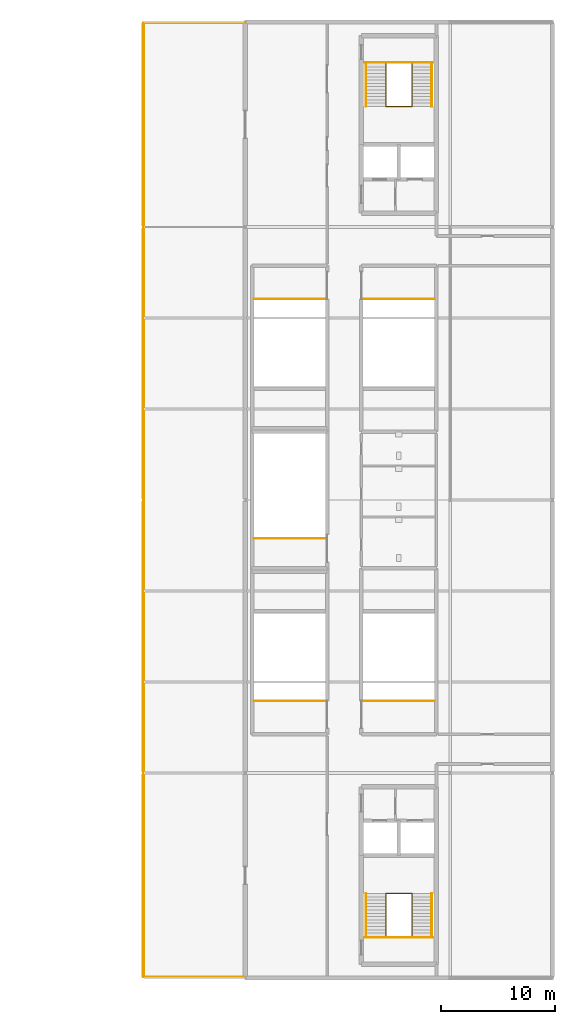
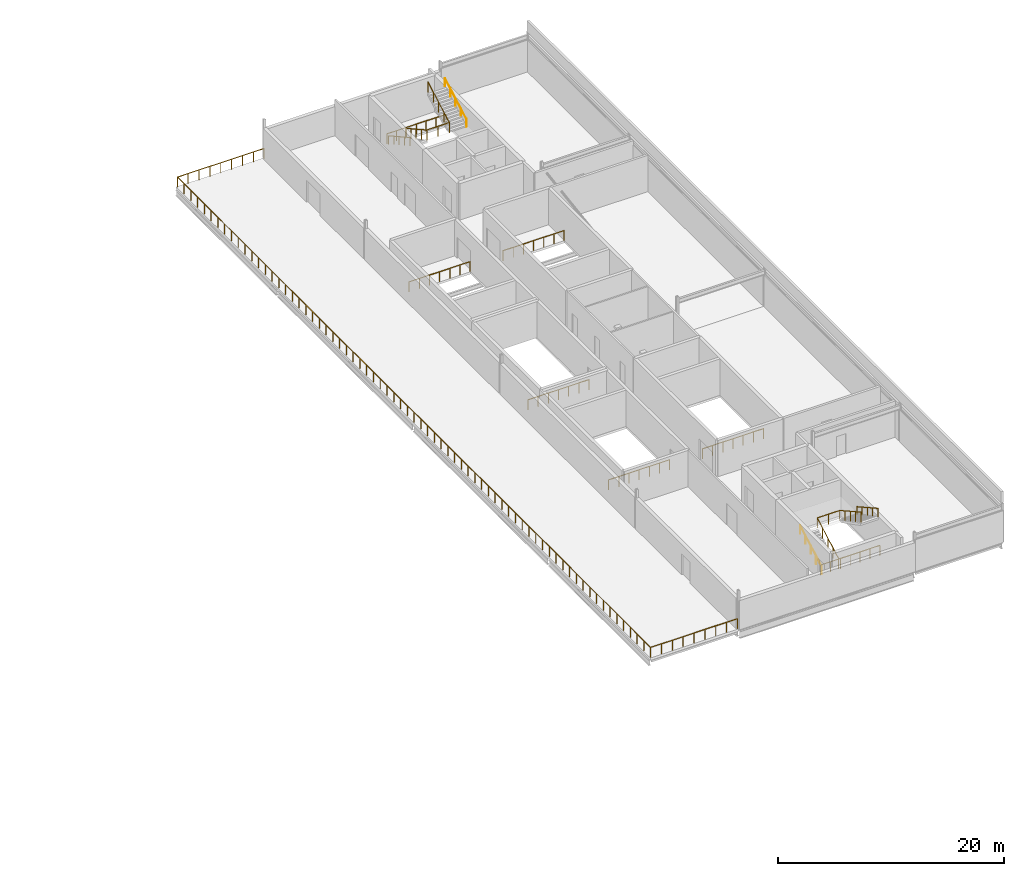
# One storey, part 22 of 23: 14 railings.
"""IFC4 building model written with IfcOpenShell, lengths in metres."""

from ifc_helpers import new_model, si_unit, direction, frame, origin, origin_2d, place, context, subcontext, project, spatial, circle, extrude, material, type_object, element, save


model = new_model("IFC4")

# Units and contexts
model_context = context("Model", 3, precision=1e-05, world=origin(), true_north=direction((0.0, 1.0)))
body_context = subcontext(model_context, "Body", "Model", "MODEL_VIEW")
ifc_project = project(units=[si_unit("LENGTHUNIT", "METRE"), si_unit("AREAUNIT", "SQUARE_METRE"), si_unit("VOLUMEUNIT", "CUBIC_METRE"), si_unit("PLANEANGLEUNIT", "RADIAN"), si_unit("MASSUNIT", "GRAM", prefix="KILO")], contexts=[model_context])

# Site, building, storey
site_placement = place(None, origin())
site = spatial("IfcSite", under=ifc_project, at=site_placement, CompositionType="ELEMENT")
building_placement = place(site_placement, origin())
building = spatial("IfcBuilding", under=site, at=building_placement, Name="Kisiwana Market Hall", CompositionType="ELEMENT")
storey_placement = place(building_placement, frame((0.0, 0.0, 65.699951171875)))
storey = spatial("IfcBuildingStorey", under=building, at=storey_placement, Name="L15", CompositionType="ELEMENT", Elevation=65.699951171875)

# Railings
ifc_material_1 = material(Name="Steel S275", Category="steel")
railing_type_1 = type_object("IfcRailingType", Name="RL-BALUST-1100", PredefinedType="BALUSTRADE", material=ifc_material_1)
railing_1_placement = place(storey_placement, frame((170.949951171875, 18.080078125, 0.0)))
element("IfcRailing", 1, at=railing_1_placement, inside=storey, type_object=railing_type_1, Name="L15 East Observatory Terrace Guardrail 1100 RL-1707", PredefinedType="BALUSTRADE", context=body_context, shape_type="SweptSolid", body=[
    extrude(circle(Radius=0.02392578125, at=origin_2d()), frame((0.0, 0.0, 1.076171875), z_axis=(-1.0, 0.0, 0.0), x_axis=(0.0, -1.0, 0.0)), (0.0, 0.0, 1.0), 8.869873046875),
    extrude(circle(Radius=0.02392578125, at=origin_2d()), frame((-8.869873046875, 0.0, 1.076171875), z_axis=(0.0, 1.0, 0.0), x_axis=(-1.0, 0.0, 0.0)), (0.0, 0.0, 1.0), 83.83984375),
    extrude(circle(Radius=0.02392578125, at=origin_2d()), frame((-8.869873046875, 83.83984375, 1.076171875), z_axis=(1.0, 0.0, 0.0), x_axis=(0.0, 1.0, 0.0)), (0.0, 0.0, 1.0), 8.869873046875),
    extrude(circle(Radius=0.02099609375, at=origin_2d()), origin(), (0.0, 0.0, 1.0), 1.052001953125),
    extrude(circle(Radius=0.02099609375, at=origin_2d()), frame((-1.108642578125, 0.0, 0.0)), (0.0, 0.0, 1.0), 1.052001953125),
    extrude(circle(Radius=0.02099609375, at=origin_2d()), frame((-2.217529296875, 0.0, 0.0)), (0.0, 0.0, 1.0), 1.052001953125),
    extrude(circle(Radius=0.02099609375, at=origin_2d()), frame((-3.326171875, 0.0, 0.0)), (0.0, 0.0, 1.0), 1.052001953125),
    extrude(circle(Radius=0.02099609375, at=origin_2d()), frame((-4.43505859375, 0.0, 0.0)), (0.0, 0.0, 1.0), 1.052001953125),
    extrude(circle(Radius=0.02099609375, at=origin_2d()), frame((-5.543701171875, 0.0, 0.0)), (0.0, 0.0, 1.0), 1.052001953125),
    extrude(circle(Radius=0.02099609375, at=origin_2d()), frame((-6.65234375, 0.0, 0.0)), (0.0, 0.0, 1.0), 1.052001953125),
    extrude(circle(Radius=0.02099609375, at=origin_2d()), frame((-7.76123046875, 0.0, 0.0)), (0.0, 0.0, 1.0), 1.052001953125),
    extrude(circle(Radius=0.02099609375, at=origin_2d()), frame((-8.869873046875, 0.0, 0.0)), (0.0, 0.0, 1.0), 1.052001953125),
    extrude(circle(Radius=0.02099609375, at=origin_2d()), frame((-8.869873046875, 1.19775390625, 0.0)), (0.0, 0.0, 1.0), 1.052001953125),
    extrude(circle(Radius=0.02099609375, at=origin_2d()), frame((-8.869873046875, 2.3955078125, 0.0)), (0.0, 0.0, 1.0), 1.052001953125),
    extrude(circle(Radius=0.02099609375, at=origin_2d()), frame((-8.869873046875, 3.593017578125, 0.0)), (0.0, 0.0, 1.0), 1.052001953125),
    extrude(circle(Radius=0.02099609375, at=origin_2d()), frame((-8.869873046875, 4.790771484375, 0.0)), (0.0, 0.0, 1.0), 1.052001953125),
    extrude(circle(Radius=0.02099609375, at=origin_2d()), frame((-8.869873046875, 5.988525390625, 0.0)), (0.0, 0.0, 1.0), 1.052001953125),
    extrude(circle(Radius=0.02099609375, at=origin_2d()), frame((-8.869873046875, 7.186279296875, 0.0)), (0.0, 0.0, 1.0), 1.052001953125),
    extrude(circle(Radius=0.02099609375, at=origin_2d()), frame((-8.869873046875, 8.384033203125, 0.0)), (0.0, 0.0, 1.0), 1.052001953125),
    extrude(circle(Radius=0.02099609375, at=origin_2d()), frame((-8.869873046875, 9.581787109375, 0.0)), (0.0, 0.0, 1.0), 1.052001953125),
    extrude(circle(Radius=0.02099609375, at=origin_2d()), frame((-8.869873046875, 10.779296875, 0.0)), (0.0, 0.0, 1.0), 1.052001953125),
    extrude(circle(Radius=0.02099609375, at=origin_2d()), frame((-8.869873046875, 11.97705078125, 0.0)), (0.0, 0.0, 1.0), 1.052001953125),
    extrude(circle(Radius=0.02099609375, at=origin_2d()), frame((-8.869873046875, 13.1748046875, 0.0)), (0.0, 0.0, 1.0), 1.052001953125),
    extrude(circle(Radius=0.02099609375, at=origin_2d()), frame((-8.869873046875, 14.37255859375, 0.0)), (0.0, 0.0, 1.0), 1.052001953125),
    extrude(circle(Radius=0.02099609375, at=origin_2d()), frame((-8.869873046875, 15.5703125, 0.0)), (0.0, 0.0, 1.0), 1.052001953125),
    extrude(circle(Radius=0.02099609375, at=origin_2d()), frame((-8.869873046875, 16.76806640625, 0.0)), (0.0, 0.0, 1.0), 1.052001953125),
    extrude(circle(Radius=0.02099609375, at=origin_2d()), frame((-8.869873046875, 17.965576171875, 0.0)), (0.0, 0.0, 1.0), 1.052001953125),
    extrude(circle(Radius=0.02099609375, at=origin_2d()), frame((-8.869873046875, 19.163330078125, 0.0)), (0.0, 0.0, 1.0), 1.052001953125),
    extrude(circle(Radius=0.02099609375, at=origin_2d()), frame((-8.869873046875, 20.361083984375, 0.0)), (0.0, 0.0, 1.0), 1.052001953125),
    extrude(circle(Radius=0.02099609375, at=origin_2d()), frame((-8.869873046875, 21.558837890625, 0.0)), (0.0, 0.0, 1.0), 1.052001953125),
    extrude(circle(Radius=0.02099609375, at=origin_2d()), frame((-8.869873046875, 22.756591796875, 0.0)), (0.0, 0.0, 1.0), 1.052001953125),
    extrude(circle(Radius=0.02099609375, at=origin_2d()), frame((-8.869873046875, 23.954345703125, 0.0)), (0.0, 0.0, 1.0), 1.052001953125),
    extrude(circle(Radius=0.02099609375, at=origin_2d()), frame((-8.869873046875, 25.15185546875, 0.0)), (0.0, 0.0, 1.0), 1.052001953125),
    extrude(circle(Radius=0.02099609375, at=origin_2d()), frame((-8.869873046875, 26.349609375, 0.0)), (0.0, 0.0, 1.0), 1.052001953125),
    extrude(circle(Radius=0.02099609375, at=origin_2d()), frame((-8.869873046875, 27.54736328125, 0.0)), (0.0, 0.0, 1.0), 1.052001953125),
    extrude(circle(Radius=0.02099609375, at=origin_2d()), frame((-8.869873046875, 28.7451171875, 0.0)), (0.0, 0.0, 1.0), 1.052001953125),
    extrude(circle(Radius=0.02099609375, at=origin_2d()), frame((-8.869873046875, 29.94287109375, 0.0)), (0.0, 0.0, 1.0), 1.052001953125),
    extrude(circle(Radius=0.02099609375, at=origin_2d()), frame((-8.869873046875, 31.140625, 0.0)), (0.0, 0.0, 1.0), 1.052001953125),
    extrude(circle(Radius=0.02099609375, at=origin_2d()), frame((-8.869873046875, 32.338134765625, 0.0)), (0.0, 0.0, 1.0), 1.052001953125),
    extrude(circle(Radius=0.02099609375, at=origin_2d()), frame((-8.869873046875, 33.535888671875, 0.0)), (0.0, 0.0, 1.0), 1.052001953125),
    extrude(circle(Radius=0.02099609375, at=origin_2d()), frame((-8.869873046875, 34.733642578125, 0.0)), (0.0, 0.0, 1.0), 1.052001953125),
    extrude(circle(Radius=0.02099609375, at=origin_2d()), frame((-8.869873046875, 35.931396484375, 0.0)), (0.0, 0.0, 1.0), 1.052001953125),
    extrude(circle(Radius=0.02099609375, at=origin_2d()), frame((-8.869873046875, 37.129150390625, 0.0)), (0.0, 0.0, 1.0), 1.052001953125),
    extrude(circle(Radius=0.02099609375, at=origin_2d()), frame((-8.869873046875, 38.326904296875, 0.0)), (0.0, 0.0, 1.0), 1.052001953125),
    extrude(circle(Radius=0.02099609375, at=origin_2d()), frame((-8.869873046875, 39.5244140625, 0.0)), (0.0, 0.0, 1.0), 1.052001953125),
    extrude(circle(Radius=0.02099609375, at=origin_2d()), frame((-8.869873046875, 40.72216796875, 0.0)), (0.0, 0.0, 1.0), 1.052001953125),
    extrude(circle(Radius=0.02099609375, at=origin_2d()), frame((-8.869873046875, 41.919921875, 0.0)), (0.0, 0.0, 1.0), 1.052001953125),
    extrude(circle(Radius=0.02099609375, at=origin_2d()), frame((-8.869873046875, 43.11767578125, 0.0)), (0.0, 0.0, 1.0), 1.052001953125),
    extrude(circle(Radius=0.02099609375, at=origin_2d()), frame((-8.869873046875, 44.3154296875, 0.0)), (0.0, 0.0, 1.0), 1.052001953125),
    extrude(circle(Radius=0.02099609375, at=origin_2d()), frame((-8.869873046875, 45.512939453125, 0.0)), (0.0, 0.0, 1.0), 1.052001953125),
    extrude(circle(Radius=0.02099609375, at=origin_2d()), frame((-8.869873046875, 46.710693359375, 0.0)), (0.0, 0.0, 1.0), 1.052001953125),
    extrude(circle(Radius=0.02099609375, at=origin_2d()), frame((-8.869873046875, 47.908447265625, 0.0)), (0.0, 0.0, 1.0), 1.052001953125),
    extrude(circle(Radius=0.02099609375, at=origin_2d()), frame((-8.869873046875, 49.106201171875, 0.0)), (0.0, 0.0, 1.0), 1.052001953125),
    extrude(circle(Radius=0.02099609375, at=origin_2d()), frame((-8.869873046875, 50.303955078125, 0.0)), (0.0, 0.0, 1.0), 1.052001953125),
    extrude(circle(Radius=0.02099609375, at=origin_2d()), frame((-8.869873046875, 51.501708984375, 0.0)), (0.0, 0.0, 1.0), 1.052001953125),
    extrude(circle(Radius=0.02099609375, at=origin_2d()), frame((-8.869873046875, 52.69921875, 0.0)), (0.0, 0.0, 1.0), 1.052001953125),
    extrude(circle(Radius=0.02099609375, at=origin_2d()), frame((-8.869873046875, 53.89697265625, 0.0)), (0.0, 0.0, 1.0), 1.052001953125),
    extrude(circle(Radius=0.02099609375, at=origin_2d()), frame((-8.869873046875, 55.0947265625, 0.0)), (0.0, 0.0, 1.0), 1.052001953125),
    extrude(circle(Radius=0.02099609375, at=origin_2d()), frame((-8.869873046875, 56.29248046875, 0.0)), (0.0, 0.0, 1.0), 1.052001953125),
    extrude(circle(Radius=0.02099609375, at=origin_2d()), frame((-8.869873046875, 57.490234375, 0.0)), (0.0, 0.0, 1.0), 1.052001953125),
    extrude(circle(Radius=0.02099609375, at=origin_2d()), frame((-8.869873046875, 58.68798828125, 0.0)), (0.0, 0.0, 1.0), 1.052001953125),
    extrude(circle(Radius=0.02099609375, at=origin_2d()), frame((-8.869873046875, 59.885498046875, 0.0)), (0.0, 0.0, 1.0), 1.052001953125),
    extrude(circle(Radius=0.02099609375, at=origin_2d()), frame((-8.869873046875, 61.083251953125, 0.0)), (0.0, 0.0, 1.0), 1.052001953125),
    extrude(circle(Radius=0.02099609375, at=origin_2d()), frame((-8.869873046875, 62.281005859375, 0.0)), (0.0, 0.0, 1.0), 1.052001953125),
    extrude(circle(Radius=0.02099609375, at=origin_2d()), frame((-8.869873046875, 63.478759765625, 0.0)), (0.0, 0.0, 1.0), 1.052001953125),
    extrude(circle(Radius=0.02099609375, at=origin_2d()), frame((-8.869873046875, 64.676513671875, 0.0)), (0.0, 0.0, 1.0), 1.052001953125),
    extrude(circle(Radius=0.02099609375, at=origin_2d()), frame((-8.869873046875, 65.874267578125, 0.0)), (0.0, 0.0, 1.0), 1.052001953125),
    extrude(circle(Radius=0.02099609375, at=origin_2d()), frame((-8.869873046875, 67.07177734375, 0.0)), (0.0, 0.0, 1.0), 1.052001953125),
    extrude(circle(Radius=0.02099609375, at=origin_2d()), frame((-8.869873046875, 68.26953125, 0.0)), (0.0, 0.0, 1.0), 1.052001953125),
    extrude(circle(Radius=0.02099609375, at=origin_2d()), frame((-8.869873046875, 69.46728515625, 0.0)), (0.0, 0.0, 1.0), 1.052001953125),
    extrude(circle(Radius=0.02099609375, at=origin_2d()), frame((-8.869873046875, 70.6650390625, 0.0)), (0.0, 0.0, 1.0), 1.052001953125),
    extrude(circle(Radius=0.02099609375, at=origin_2d()), frame((-8.869873046875, 71.86279296875, 0.0)), (0.0, 0.0, 1.0), 1.052001953125),
    extrude(circle(Radius=0.02099609375, at=origin_2d()), frame((-8.869873046875, 73.060546875, 0.0)), (0.0, 0.0, 1.0), 1.052001953125),
    extrude(circle(Radius=0.02099609375, at=origin_2d()), frame((-8.869873046875, 74.258056640625, 0.0)), (0.0, 0.0, 1.0), 1.052001953125),
    extrude(circle(Radius=0.02099609375, at=origin_2d()), frame((-8.869873046875, 75.455810546875, 0.0)), (0.0, 0.0, 1.0), 1.052001953125),
    extrude(circle(Radius=0.02099609375, at=origin_2d()), frame((-8.869873046875, 76.653564453125, 0.0)), (0.0, 0.0, 1.0), 1.052001953125),
    extrude(circle(Radius=0.02099609375, at=origin_2d()), frame((-8.869873046875, 77.851318359375, 0.0)), (0.0, 0.0, 1.0), 1.052001953125),
    extrude(circle(Radius=0.02099609375, at=origin_2d()), frame((-8.869873046875, 79.049072265625, 0.0)), (0.0, 0.0, 1.0), 1.052001953125),
    extrude(circle(Radius=0.02099609375, at=origin_2d()), frame((-8.869873046875, 80.246826171875, 0.0)), (0.0, 0.0, 1.0), 1.052001953125),
    extrude(circle(Radius=0.02099609375, at=origin_2d()), frame((-8.869873046875, 81.4443359375, 0.0)), (0.0, 0.0, 1.0), 1.052001953125),
    extrude(circle(Radius=0.02099609375, at=origin_2d()), frame((-8.869873046875, 82.64208984375, 0.0)), (0.0, 0.0, 1.0), 1.052001953125),
    extrude(circle(Radius=0.02099609375, at=origin_2d()), frame((-8.869873046875, 83.83984375, 0.0)), (0.0, 0.0, 1.0), 1.052001953125),
    extrude(circle(Radius=0.02099609375, at=origin_2d()), frame((-7.76123046875, 83.83984375, 0.0)), (0.0, 0.0, 1.0), 1.052001953125),
    extrude(circle(Radius=0.02099609375, at=origin_2d()), frame((-6.65234375, 83.83984375, 0.0)), (0.0, 0.0, 1.0), 1.052001953125),
    extrude(circle(Radius=0.02099609375, at=origin_2d()), frame((-5.543701171875, 83.83984375, 0.0)), (0.0, 0.0, 1.0), 1.052001953125),
    extrude(circle(Radius=0.02099609375, at=origin_2d()), frame((-4.43505859375, 83.83984375, 0.0)), (0.0, 0.0, 1.0), 1.052001953125),
    extrude(circle(Radius=0.02099609375, at=origin_2d()), frame((-3.326171875, 83.83984375, 0.0)), (0.0, 0.0, 1.0), 1.052001953125),
    extrude(circle(Radius=0.02099609375, at=origin_2d()), frame((-2.217529296875, 83.83984375, 0.0)), (0.0, 0.0, 1.0), 1.052001953125),
    extrude(circle(Radius=0.02099609375, at=origin_2d()), frame((-1.108642578125, 83.83984375, 0.0)), (0.0, 0.0, 1.0), 1.052001953125),
    extrude(circle(Radius=0.02099609375, at=origin_2d()), frame((0.0, 83.83984375, 0.0)), (0.0, 0.0, 1.0), 1.052001953125),
])
ifc_material_2 = material(Name="Steel S275", Category="steel")
railing_type_2 = type_object("IfcRailingType", Name="RL-GUARD-1100", PredefinedType="GUARDRAIL", material=ifc_material_2)
railing_2_placement = place(storey_placement, frame((183.35009765625, 21.6494140625, 0.0)))
element("IfcRailing", 2, at=railing_2_placement, inside=storey, type_object=railing_type_2, Name="Stair ST-E2-L15 inner-well guardrail (RL-1671)", PredefinedType="GUARDRAIL", context=body_context, shape_type="SweptSolid", body=[
    extrude(circle(Radius=0.02392578125, at=origin_2d()), frame((0.0, 0.0, 1.076171875), z_axis=(0.0, 0.873601648441, 0.486641716092), x_axis=(-1.0, 0.0, 0.0)), (0.0, 0.0, 1.0), 4.3154296875),
    extrude(circle(Radius=0.02392578125, at=origin_2d()), frame((0.0, 3.77001953125, 3.17626953125), z_axis=(1.0, 0.0, 0.0), x_axis=(0.0, 1.0, 0.0)), (0.0, 0.0, 1.0), 2.2998046875),
    extrude(circle(Radius=0.02392578125, at=origin_2d()), frame((2.2998046875, 3.77001953125, 3.17626953125), z_axis=(0.0, -0.873625699011, 0.486598538867), x_axis=(1.0, 0.0, 0.0)), (0.0, 0.0, 1.0), 4.3154296875),
    extrude(circle(Radius=0.02099609375, at=origin_2d()), origin(), (0.0, 0.0, 1.0), 1.052001953125),
    extrude(circle(Radius=0.02099609375, at=origin_2d()), frame((0.0, 0.9423828125, 0.52490234375)), (0.0, 0.0, 1.0), 1.052001953125),
    extrude(circle(Radius=0.02099609375, at=origin_2d()), frame((0.0, 1.885009765625, 1.050048828125)), (0.0, 0.0, 1.0), 1.052001953125),
    extrude(circle(Radius=0.02099609375, at=origin_2d()), frame((0.0, 2.82763671875, 1.5751953125)), (0.0, 0.0, 1.0), 1.052001953125),
    extrude(circle(Radius=0.02099609375, at=origin_2d()), frame((0.0, 3.77001953125, 2.10009765625)), (0.0, 0.0, 1.0), 1.052001953125),
    extrude(circle(Radius=0.02099609375, at=origin_2d()), frame((1.14990234375, 3.77001953125, 2.10009765625)), (0.0, 0.0, 1.0), 1.052001953125),
    extrude(circle(Radius=0.02099609375, at=origin_2d()), frame((2.2998046875, 3.77001953125, 2.10009765625)), (0.0, 0.0, 1.0), 1.052001953125),
    extrude(circle(Radius=0.02099609375, at=origin_2d()), frame((2.2998046875, 2.82763671875, 2.625)), (0.0, 0.0, 1.0), 1.052001953125),
    extrude(circle(Radius=0.02099609375, at=origin_2d()), frame((2.2998046875, 1.885009765625, 3.14990234375)), (0.0, 0.0, 1.0), 1.052001953125),
    extrude(circle(Radius=0.02099609375, at=origin_2d()), frame((2.2998046875, 0.9423828125, 3.675048828125)), (0.0, 0.0, 1.0), 1.052001953125),
    extrude(circle(Radius=0.02099609375, at=origin_2d()), frame((2.2998046875, 0.0, 4.199951171875)), (0.0, 0.0, 1.0), 1.052001953125),
])
railing_3_placement = place(storey_placement, frame((181.47998046875, 21.569580078125, 0.0)))
element("IfcRailing", 3, at=railing_3_placement, inside=storey, type_object=railing_type_2, Name="Stair ST-E2-L15 landing edge guardrail (RL-1674)", PredefinedType="GUARDRAIL", context=body_context, shape_type="SweptSolid", body=[
    extrude(circle(Radius=0.02392578125, at=origin_2d()), frame((0.0, 0.0, 1.076171875), z_axis=(1.0, 0.0, 0.0), x_axis=(0.0, 1.0, 0.0)), (0.0, 0.0, 1.0), 6.0400390625),
    extrude(circle(Radius=0.02099609375, at=origin_2d()), origin(), (0.0, 0.0, 1.0), 1.052001953125),
    extrude(circle(Radius=0.02099609375, at=origin_2d()), frame((1.006591796875, 0.0, 0.0)), (0.0, 0.0, 1.0), 1.052001953125),
    extrude(circle(Radius=0.02099609375, at=origin_2d()), frame((2.013427734375, 0.0, 0.0)), (0.0, 0.0, 1.0), 1.052001953125),
    extrude(circle(Radius=0.02099609375, at=origin_2d()), frame((3.02001953125, 0.0, 0.0)), (0.0, 0.0, 1.0), 1.052001953125),
    extrude(circle(Radius=0.02099609375, at=origin_2d()), frame((4.026611328125, 0.0, 0.0)), (0.0, 0.0, 1.0), 1.052001953125),
    extrude(circle(Radius=0.02099609375, at=origin_2d()), frame((5.033447265625, 0.0, 0.0)), (0.0, 0.0, 1.0), 1.052001953125),
    extrude(circle(Radius=0.02099609375, at=origin_2d()), frame((6.0400390625, 0.0, 0.0)), (0.0, 0.0, 1.0), 1.052001953125),
])
railing_4_placement = place(storey_placement, frame((183.35009765625, 98.3505859375, 0.0)))
element("IfcRailing", 4, at=railing_4_placement, inside=storey, type_object=railing_type_2, Name="Stair ST-E1-L15 inner-well guardrail (RL-1675)", PredefinedType="GUARDRAIL", context=body_context, shape_type="SweptSolid", body=[
    extrude(circle(Radius=0.02392578125, at=origin_2d()), frame((0.0, 0.0, 1.076171875), z_axis=(0.0, -0.873601648441, 0.486641716092), x_axis=(1.0, 0.0, 0.0)), (0.0, 0.0, 1.0), 4.3154296875),
    extrude(circle(Radius=0.02392578125, at=origin_2d()), frame((0.0, -3.77001953125, 3.17626953125), z_axis=(1.0, 0.0, 0.0), x_axis=(0.0, 1.0, 0.0)), (0.0, 0.0, 1.0), 2.2998046875),
    extrude(circle(Radius=0.02392578125, at=origin_2d()), frame((2.2998046875, -3.77001953125, 3.17626953125), z_axis=(0.0, 0.873625699011, 0.486598538867), x_axis=(-1.0, 0.0, 0.0)), (0.0, 0.0, 1.0), 4.3154296875),
    extrude(circle(Radius=0.02099609375, at=origin_2d()), origin(), (0.0, 0.0, 1.0), 1.052001953125),
    extrude(circle(Radius=0.02099609375, at=origin_2d()), frame((0.0, -0.9423828125, 0.52490234375)), (0.0, 0.0, 1.0), 1.052001953125),
    extrude(circle(Radius=0.02099609375, at=origin_2d()), frame((0.0, -1.885009765625, 1.050048828125)), (0.0, 0.0, 1.0), 1.052001953125),
    extrude(circle(Radius=0.02099609375, at=origin_2d()), frame((0.0, -2.82763671875, 1.5751953125)), (0.0, 0.0, 1.0), 1.052001953125),
    extrude(circle(Radius=0.02099609375, at=origin_2d()), frame((0.0, -3.77001953125, 2.10009765625)), (0.0, 0.0, 1.0), 1.052001953125),
    extrude(circle(Radius=0.02099609375, at=origin_2d()), frame((1.14990234375, -3.77001953125, 2.10009765625)), (0.0, 0.0, 1.0), 1.052001953125),
    extrude(circle(Radius=0.02099609375, at=origin_2d()), frame((2.2998046875, -3.77001953125, 2.10009765625)), (0.0, 0.0, 1.0), 1.052001953125),
    extrude(circle(Radius=0.02099609375, at=origin_2d()), frame((2.2998046875, -2.82763671875, 2.625)), (0.0, 0.0, 1.0), 1.052001953125),
    extrude(circle(Radius=0.02099609375, at=origin_2d()), frame((2.2998046875, -1.885009765625, 3.14990234375)), (0.0, 0.0, 1.0), 1.052001953125),
    extrude(circle(Radius=0.02099609375, at=origin_2d()), frame((2.2998046875, -0.9423828125, 3.675048828125)), (0.0, 0.0, 1.0), 1.052001953125),
    extrude(circle(Radius=0.02099609375, at=origin_2d()), frame((2.2998046875, 0.0, 4.199951171875)), (0.0, 0.0, 1.0), 1.052001953125),
])
railing_5_placement = place(storey_placement, frame((181.47998046875, 98.430419921875, 0.0)))
element("IfcRailing", 5, at=railing_5_placement, inside=storey, type_object=railing_type_2, Name="Stair ST-E1-L15 landing edge guardrail (RL-1678)", PredefinedType="GUARDRAIL", context=body_context, shape_type="SweptSolid", body=[
    extrude(circle(Radius=0.02392578125, at=origin_2d()), frame((0.0, 0.0, 1.076171875), z_axis=(1.0, 0.0, 0.0), x_axis=(0.0, 1.0, 0.0)), (0.0, 0.0, 1.0), 6.0400390625),
    extrude(circle(Radius=0.02099609375, at=origin_2d()), origin(), (0.0, 0.0, 1.0), 1.052001953125),
    extrude(circle(Radius=0.02099609375, at=origin_2d()), frame((1.006591796875, 0.0, 0.0)), (0.0, 0.0, 1.0), 1.052001953125),
    extrude(circle(Radius=0.02099609375, at=origin_2d()), frame((2.013427734375, 0.0, 0.0)), (0.0, 0.0, 1.0), 1.052001953125),
    extrude(circle(Radius=0.02099609375, at=origin_2d()), frame((3.02001953125, 0.0, 0.0)), (0.0, 0.0, 1.0), 1.052001953125),
    extrude(circle(Radius=0.02099609375, at=origin_2d()), frame((4.026611328125, 0.0, 0.0)), (0.0, 0.0, 1.0), 1.052001953125),
    extrude(circle(Radius=0.02099609375, at=origin_2d()), frame((5.033447265625, 0.0, 0.0)), (0.0, 0.0, 1.0), 1.052001953125),
    extrude(circle(Radius=0.02099609375, at=origin_2d()), frame((6.0400390625, 0.0, 0.0)), (0.0, 0.0, 1.0), 1.052001953125),
])
for number, where, name in (
    (6, (181.3798828125, 42.340087890625, 0.0), "Core E3 top stairwell guardrail (L15) (RL-1681)"),
    (7, (181.3798828125, 77.659912109375, 0.0), "Core E4 top stairwell guardrail (L15) (RL-1682)"),
):
    element("IfcRailing", number, at=place(storey_placement, frame(where)), inside=storey, type_object=railing_type_2, Name=name, PredefinedType="GUARDRAIL", context=body_context, shape_type="SweptSolid", body=[
        extrude(circle(Radius=0.02392578125, at=origin_2d()), frame((0.0, 0.0, 1.076171875), z_axis=(1.0, 0.0, 0.0), x_axis=(0.0, 1.0, 0.0)), (0.0, 0.0, 1.0), 6.240234375),
        extrude(circle(Radius=0.02099609375, at=origin_2d()), origin(), (0.0, 0.0, 1.0), 1.052001953125),
        extrude(circle(Radius=0.02099609375, at=origin_2d()), frame((1.0400390625, 0.0, 0.0)), (0.0, 0.0, 1.0), 1.052001953125),
        extrude(circle(Radius=0.02099609375, at=origin_2d()), frame((2.080078125, 0.0, 0.0)), (0.0, 0.0, 1.0), 1.052001953125),
        extrude(circle(Radius=0.02099609375, at=origin_2d()), frame((3.1201171875, 0.0, 0.0)), (0.0, 0.0, 1.0), 1.052001953125),
        extrude(circle(Radius=0.02099609375, at=origin_2d()), frame((4.16015625, 0.0, 0.0)), (0.0, 0.0, 1.0), 1.052001953125),
        extrude(circle(Radius=0.02099609375, at=origin_2d()), frame((5.2001953125, 0.0, 0.0)), (0.0, 0.0, 1.0), 1.052001953125),
        extrude(circle(Radius=0.02099609375, at=origin_2d()), frame((6.240234375, 0.0, 0.0)), (0.0, 0.0, 1.0), 1.052001953125),
    ])
for number, where, name in (
    (8, (171.780029296875, 42.340087890625, 0.0), "Core E7 top stairwell guardrail (L15) (RL-1684)"),
    (9, (171.780029296875, 77.659912109375, 0.0), "Core E8 top stairwell guardrail (L15) (RL-1686)"),
    (10, (171.780029296875, 56.6201171875, 0.0), "Core E5 top stairwell guardrail (L15) (RL-1688)"),
):
    element("IfcRailing", number, at=place(storey_placement, frame(where)), inside=storey, type_object=railing_type_2, Name=name, PredefinedType="GUARDRAIL", context=body_context, shape_type="SweptSolid", body=[
        extrude(circle(Radius=0.02392578125, at=origin_2d()), frame((0.0, 0.0, 1.076171875), z_axis=(1.0, 0.0, 0.0), x_axis=(0.0, 1.0, 0.0)), (0.0, 0.0, 1.0), 6.239990234375),
        extrude(circle(Radius=0.02099609375, at=origin_2d()), origin(), (0.0, 0.0, 1.0), 1.052001953125),
        extrude(circle(Radius=0.02099609375, at=origin_2d()), frame((1.0400390625, 0.0, 0.0)), (0.0, 0.0, 1.0), 1.052001953125),
        extrude(circle(Radius=0.02099609375, at=origin_2d()), frame((2.080078125, 0.0, 0.0)), (0.0, 0.0, 1.0), 1.052001953125),
        extrude(circle(Radius=0.02099609375, at=origin_2d()), frame((3.1201171875, 0.0, 0.0)), (0.0, 0.0, 1.0), 1.052001953125),
        extrude(circle(Radius=0.02099609375, at=origin_2d()), frame((4.159912109375, 0.0, 0.0)), (0.0, 0.0, 1.0), 1.052001953125),
        extrude(circle(Radius=0.02099609375, at=origin_2d()), frame((5.199951171875, 0.0, 0.0)), (0.0, 0.0, 1.0), 1.052001953125),
        extrude(circle(Radius=0.02099609375, at=origin_2d()), frame((6.239990234375, 0.0, 0.0)), (0.0, 0.0, 1.0), 1.052001953125),
    ])
ifc_material_3 = material(Name="Steel S275", Category="steel")
railing_type_3 = type_object("IfcRailingType", Name="RL-HAND-900", PredefinedType="HANDRAIL", material=ifc_material_3)
railing_6_placement = place(storey_placement, frame((181.610107421875, 21.6494140625, 0.0)))
element("IfcRailing", 11, at=railing_6_placement, inside=storey, type_object=railing_type_3, Name="Stair ST-E2-L15 flight 1 handrail (RL-1672)", PredefinedType="HANDRAIL", context=body_context, shape_type="SweptSolid", body=[
    extrude(circle(Radius=0.02392578125, at=origin_2d()), frame((0.0, 0.0, 0.8759765625), z_axis=(0.0, 0.873601648441, 0.486641716092), x_axis=(-1.0, 0.0, 0.0)), (0.0, 0.0, 1.0), 4.3154296875),
    extrude(circle(Radius=0.02099609375, at=origin_2d()), origin(), (0.0, 0.0, 1.0), 0.851806640625),
    extrude(circle(Radius=0.02099609375, at=origin_2d()), frame((0.0, 0.9423828125, 0.52490234375)), (0.0, 0.0, 1.0), 0.851806640625),
    extrude(circle(Radius=0.02099609375, at=origin_2d()), frame((0.0, 1.885009765625, 1.050048828125)), (0.0, 0.0, 1.0), 0.851806640625),
    extrude(circle(Radius=0.02099609375, at=origin_2d()), frame((0.0, 2.82763671875, 1.5751953125)), (0.0, 0.0, 1.0), 0.851806640625),
    extrude(circle(Radius=0.02099609375, at=origin_2d()), frame((0.0, 3.77001953125, 2.10009765625)), (0.0, 0.0, 1.0), 0.851806640625),
])
railing_7_placement = place(storey_placement, frame((187.389892578125, 25.41943359375, 2.10009765625)))
element("IfcRailing", 12, at=railing_7_placement, inside=storey, type_object=railing_type_3, Name="Stair ST-E2-L15 flight 2 handrail (RL-1673)", PredefinedType="HANDRAIL", context=body_context, shape_type="SweptSolid", body=[
    extrude(circle(Radius=0.02392578125, at=origin_2d()), frame((0.0, 0.0, 0.8759765625), z_axis=(0.0, -0.873625699011, 0.486598538867), x_axis=(1.0, 0.0, 0.0)), (0.0, 0.0, 1.0), 4.3154296875),
    extrude(circle(Radius=0.02099609375, at=origin_2d()), origin(), (0.0, 0.0, 1.0), 0.851806640625),
    extrude(circle(Radius=0.02099609375, at=origin_2d()), frame((0.0, -0.9423828125, 0.52490234375)), (0.0, 0.0, 1.0), 0.851806640625),
    extrude(circle(Radius=0.02099609375, at=origin_2d()), frame((0.0, -1.885009765625, 1.0498046875)), (0.0, 0.0, 1.0), 0.851806640625),
    extrude(circle(Radius=0.02099609375, at=origin_2d()), frame((0.0, -2.82763671875, 1.574951171875)), (0.0, 0.0, 1.0), 0.851806640625),
    extrude(circle(Radius=0.02099609375, at=origin_2d()), frame((0.0, -3.77001953125, 2.099853515625)), (0.0, 0.0, 1.0), 0.851806640625),
])
railing_8_placement = place(storey_placement, frame((181.610107421875, 98.3505859375, 0.0)))
element("IfcRailing", 13, at=railing_8_placement, inside=storey, type_object=railing_type_3, Name="Stair ST-E1-L15 flight 1 handrail (RL-1676)", PredefinedType="HANDRAIL", context=body_context, shape_type="SweptSolid", body=[
    extrude(circle(Radius=0.02392578125, at=origin_2d()), frame((0.0, 0.0, 0.8759765625), z_axis=(0.0, -0.873601648441, 0.486641716092), x_axis=(1.0, 0.0, 0.0)), (0.0, 0.0, 1.0), 4.3154296875),
    extrude(circle(Radius=0.02099609375, at=origin_2d()), origin(), (0.0, 0.0, 1.0), 0.851806640625),
    extrude(circle(Radius=0.02099609375, at=origin_2d()), frame((0.0, -0.9423828125, 0.52490234375)), (0.0, 0.0, 1.0), 0.851806640625),
    extrude(circle(Radius=0.02099609375, at=origin_2d()), frame((0.0, -1.885009765625, 1.050048828125)), (0.0, 0.0, 1.0), 0.851806640625),
    extrude(circle(Radius=0.02099609375, at=origin_2d()), frame((0.0, -2.82763671875, 1.5751953125)), (0.0, 0.0, 1.0), 0.851806640625),
    extrude(circle(Radius=0.02099609375, at=origin_2d()), frame((0.0, -3.77001953125, 2.10009765625)), (0.0, 0.0, 1.0), 0.851806640625),
])
railing_9_placement = place(storey_placement, frame((187.389892578125, 94.58056640625, 2.10009765625)))
element("IfcRailing", 14, at=railing_9_placement, inside=storey, type_object=railing_type_3, Name="Stair ST-E1-L15 flight 2 handrail (RL-1677)", PredefinedType="HANDRAIL", context=body_context, shape_type="SweptSolid", body=[
    extrude(circle(Radius=0.02392578125, at=origin_2d()), frame((0.0, 0.0, 0.8759765625), z_axis=(0.0, 0.873625699011, 0.486598538867), x_axis=(-1.0, 0.0, 0.0)), (0.0, 0.0, 1.0), 4.3154296875),
    extrude(circle(Radius=0.02099609375, at=origin_2d()), origin(), (0.0, 0.0, 1.0), 0.851806640625),
    extrude(circle(Radius=0.02099609375, at=origin_2d()), frame((0.0, 0.9423828125, 0.52490234375)), (0.0, 0.0, 1.0), 0.851806640625),
    extrude(circle(Radius=0.02099609375, at=origin_2d()), frame((0.0, 1.885009765625, 1.0498046875)), (0.0, 0.0, 1.0), 0.851806640625),
    extrude(circle(Radius=0.02099609375, at=origin_2d()), frame((0.0, 2.82763671875, 1.574951171875)), (0.0, 0.0, 1.0), 0.851806640625),
    extrude(circle(Radius=0.02099609375, at=origin_2d()), frame((0.0, 3.77001953125, 2.099853515625)), (0.0, 0.0, 1.0), 0.851806640625),
])

save(model, "model.ifc")
